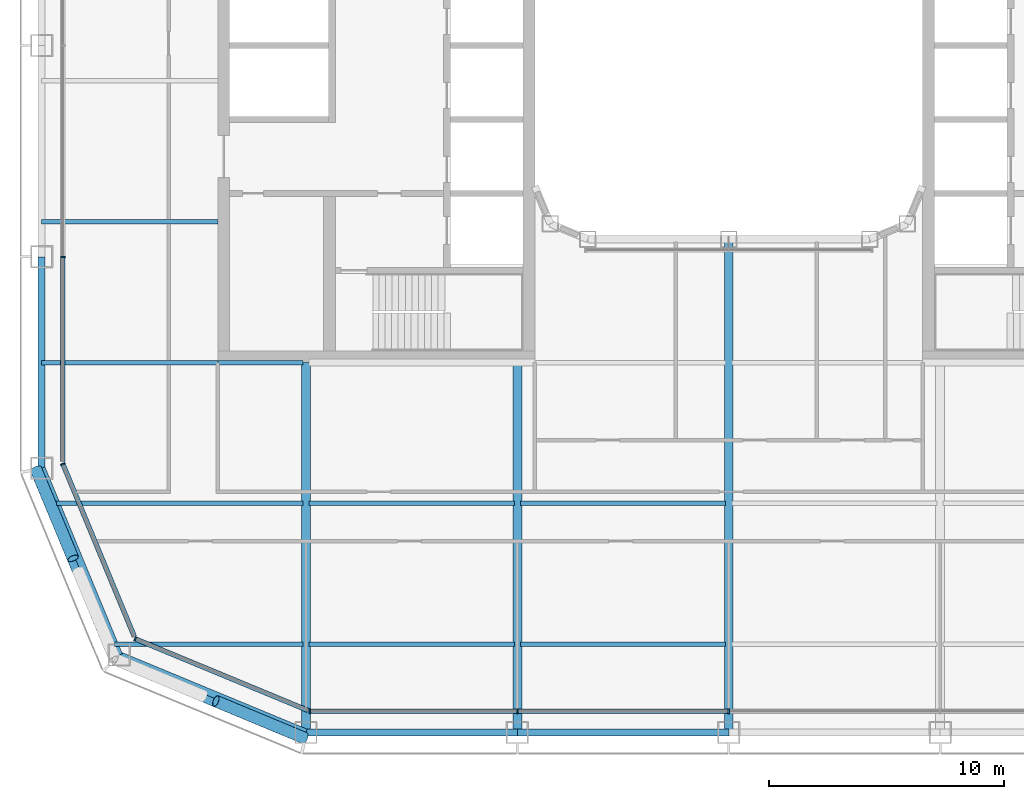
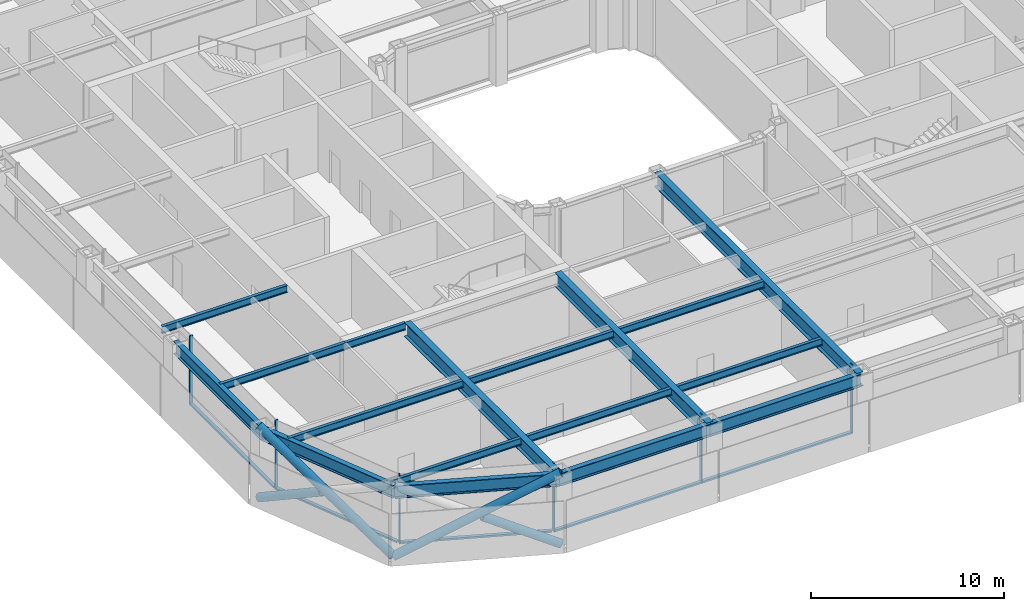
# One storey, part 2 of 23: 17 beams, 15 members, 4 elements without a shape of their own.
"""IFC4 building model written with IfcOpenShell, lengths in metres."""

from ifc_helpers import new_model, si_unit, direction, frame, origin, origin_2d, place, context, subcontext, project, spatial, rectangle, hollow_circle, i_section, extrude, material, layer, layer_set, material_profile, profile_set, type_object, element, aggregate, save


model = new_model("IFC4")

# Units and contexts
model_context = context("Model", 3, precision=1e-05, world=origin(), true_north=direction((0.0, 1.0)))
body_context = subcontext(model_context, "Body", "Model", "MODEL_VIEW")
ifc_project = project(units=[si_unit("LENGTHUNIT", "METRE"), si_unit("AREAUNIT", "SQUARE_METRE"), si_unit("VOLUMEUNIT", "CUBIC_METRE"), si_unit("PLANEANGLEUNIT", "RADIAN"), si_unit("MASSUNIT", "GRAM", prefix="KILO")], contexts=[model_context])

# Site, building, storey
site_placement = place(None, origin())
site = spatial("IfcSite", under=ifc_project, at=site_placement, CompositionType="ELEMENT")
building_placement = place(site_placement, origin())
building = spatial("IfcBuilding", under=site, at=building_placement, Name="Siwar Civic Tower", CompositionType="ELEMENT")
storey_placement = place(building_placement, frame((0.0, 0.0, 131.699951171875)))
storey = spatial("IfcBuildingStorey", under=building, at=storey_placement, Name="L28", CompositionType="ELEMENT", Elevation=131.699951171875)

# Curtain wall, members
ifc_material_1 = material(Name="Aluminium and glass", Category="aluminium")
ifc_layer_1 = layer(ifc_material_1, 0.199951171875)
ifc_layer_set_1 = layer_set([ifc_layer_1], Name="Aluminium and glass")
curtain_wall_type_1 = type_object("IfcCurtainWallType", Name="ENV-CW-B", PredefinedType="NOTDEFINED", material=ifc_layer_set_1)
curtain_wall_1_placement = place(storey_placement, origin())
curtain_wall_1 = element("IfcCurtainWall", 1, at=curtain_wall_1_placement, inside=storey, type_object=curtain_wall_type_1, Name="Curtain wall B S", PredefinedType="NOTDEFINED")
ifc_material_2 = material(Name="Aluminium 6063-T6", Category="aluminium")
ifc_material_profile_1 = material_profile(ifc_material_2, rectangle(XDim=0.199951171875, YDim=0.06494140625, at=origin_2d()), Name="AL 200x65")
ifc_profile_set_1 = profile_set([ifc_material_profile_1], Name="Aluminium 6063-T6")
member_type_1 = type_object("IfcMemberType", Name="ENV-MULLION-B", PredefinedType="MULLION", material=ifc_profile_set_1)
member_1_placement = place(storey_placement, frame((-17.821044921875, -28.35009765625, 0.0), z_axis=(0.0, 0.0, 1.0), x_axis=(0.0, 1.0, 0.0)))
member_1 = element("IfcMember", 2, at=member_1_placement, type_object=member_type_1, Name="Mullion B S 1", PredefinedType="MULLION", context=body_context, shape_type="SweptSolid", body=[
    extrude(rectangle(XDim=0.199951171875, YDim=0.06494140625, at=origin_2d()), origin(), (0.0, 0.0, 1.0), 4.35009765625),
])
member_2_placement = place(storey_placement, frame((-9.0, -28.35009765625, 0.0), z_axis=(0.0, 0.0, 1.0), x_axis=(0.0, 1.0, 0.0)))
member_2 = element("IfcMember", 3, at=member_2_placement, type_object=member_type_1, Name="Mullion B S 2", PredefinedType="MULLION", context=body_context, shape_type="SweptSolid", body=[
    extrude(rectangle(XDim=0.199951171875, YDim=0.06494140625, at=origin_2d()), origin(), (0.0, 0.0, 1.0), 4.35009765625),
])
member_3_placement = place(storey_placement, frame((0.0, -28.35009765625, 0.0), z_axis=(0.0, 0.0, 1.0), x_axis=(0.0, 1.0, 0.0)))
member_3 = element("IfcMember", 4, at=member_3_placement, type_object=member_type_1, Name="Mullion B S 3", PredefinedType="MULLION", context=body_context, shape_type="SweptSolid", body=[
    extrude(rectangle(XDim=0.199951171875, YDim=0.06494140625, at=origin_2d()), origin(), (0.0, 0.0, 1.0), 4.35009765625),
])

# Curtain wall, member
curtain_wall_2_placement = place(storey_placement, origin())
curtain_wall_2 = element("IfcCurtainWall", 5, at=curtain_wall_2_placement, inside=storey, type_object=curtain_wall_type_1, Name="Curtain wall B W", PredefinedType="NOTDEFINED")
member_4_placement = place(storey_placement, frame((-28.35009765625, -9.0, 0.0), z_axis=(0.0, 0.0, 1.0), x_axis=(1.0, 0.0, 0.0)))
member_4 = element("IfcMember", 6, at=member_4_placement, type_object=member_type_1, Name="Mullion B W 4", PredefinedType="MULLION", context=body_context, shape_type="SweptSolid", body=[
    extrude(rectangle(XDim=0.199951171875, YDim=0.06494140625, at=origin_2d()), origin(), (0.0, 0.0, 1.0), 4.35009765625),
])

ifc_material_3 = material(Name="Aluminium clad insulated panel", Category="aluminium")
ifc_layer_2 = layer(ifc_material_3, 0.199951171875)
ifc_layer_set_2 = layer_set([ifc_layer_2], Name="Aluminium clad insulated panel")
curtain_wall_type_2 = type_object("IfcCurtainWallType", Name="ENV-CW-BX", PredefinedType="NOTDEFINED", material=ifc_layer_set_2)
curtain_wall_3_placement = place(storey_placement, origin())
curtain_wall_3 = element("IfcCurtainWall", 7, at=curtain_wall_3_placement, inside=storey, type_object=curtain_wall_type_2, Name="Curtain wall B SW1", PredefinedType="NOTDEFINED")
member_5_placement = place(storey_placement, frame((-28.35009765625, -17.821044921875, 0.0), z_axis=(0.0, 0.0, 1.0), x_axis=(0.923879532511, 0.382683432365, 0.0)))
member_5 = element("IfcMember", 8, at=member_5_placement, type_object=member_type_1, Name="Mullion B SW1 1", PredefinedType="MULLION", context=body_context, shape_type="SweptSolid", body=[
    extrude(rectangle(XDim=0.199951171875, YDim=0.06494140625, at=origin_2d()), origin(), (0.0, 0.0, 1.0), 4.35009765625),
])

curtain_wall_4_placement = place(storey_placement, origin())
curtain_wall_4 = element("IfcCurtainWall", 9, at=curtain_wall_4_placement, inside=storey, type_object=curtain_wall_type_2, Name="Curtain wall B SW2", PredefinedType="NOTDEFINED")
member_6_placement = place(storey_placement, frame((-25.26611328125, -25.26611328125, 0.0), z_axis=(0.0, 0.0, 1.0), x_axis=(0.382683432365, 0.923879532511, 0.0)))
member_6 = element("IfcMember", 10, at=member_6_placement, type_object=member_type_1, Name="Mullion B SW2 1", PredefinedType="MULLION", context=body_context, shape_type="SweptSolid", body=[
    extrude(rectangle(XDim=0.199951171875, YDim=0.06494140625, at=origin_2d()), origin(), (0.0, 0.0, 1.0), 4.35009765625),
])

# Member
ifc_material_4 = material(Name="Aluminium 6063-T6", Category="aluminium")
ifc_material_profile_2 = material_profile(ifc_material_4, rectangle(XDim=0.199951171875, YDim=0.110107421875, at=origin_2d()), Name="AL 200x110")
ifc_profile_set_2 = profile_set([ifc_material_profile_2], Name="Aluminium 6063-T6")
member_type_2 = type_object("IfcMemberType", Name="ENV-TRANSOM-B", PredefinedType="USERDEFINED", material=ifc_profile_set_2)
member_7_placement = place(storey_placement, frame((-17.78857421875, -28.35009765625, 0.054931640625), z_axis=(1.0, 0.0, 0.0), x_axis=(0.0, 1.0, 0.0)))
member_7 = element("IfcMember", 11, at=member_7_placement, type_object=member_type_2, Name="Transom B S 1", ObjectType="TRANSOM", PredefinedType="USERDEFINED", context=body_context, shape_type="SweptSolid", body=[
    extrude(rectangle(XDim=0.199951171875, YDim=0.110107421875, at=origin_2d()), origin(), (0.0, 0.0, 1.0), 8.756103515625),
])

member_8_placement = place(storey_placement, frame((-8.967529296875, -28.35009765625, 0.054931640625), z_axis=(1.0, 0.0, 0.0), x_axis=(0.0, 1.0, 0.0)))
member_8 = element("IfcMember", 12, at=member_8_placement, type_object=member_type_2, Name="Transom B S 2", ObjectType="TRANSOM", PredefinedType="USERDEFINED", context=body_context, shape_type="SweptSolid", body=[
    extrude(rectangle(XDim=0.199951171875, YDim=0.110107421875, at=origin_2d()), origin(), (0.0, 0.0, 1.0), 8.93505859375),
])

aggregate(curtain_wall_1, [member_1, member_2, member_3, member_7, member_8])

member_9_placement = place(storey_placement, frame((-28.35009765625, -9.032470703125, 0.054931640625), z_axis=(0.0, -1.0, 0.0), x_axis=(1.0, 0.0, 0.0)))
member_9 = element("IfcMember", 13, at=member_9_placement, type_object=member_type_2, Name="Transom B W 4", ObjectType="TRANSOM", PredefinedType="USERDEFINED", context=body_context, shape_type="SweptSolid", body=[
    extrude(rectangle(XDim=0.199951171875, YDim=0.110107421875, at=origin_2d()), origin(), (0.0, 0.0, 1.0), 8.6748046875),
])

aggregate(curtain_wall_2, [member_4, member_9])

member_10_placement = place(storey_placement, frame((-28.337646484375, -17.85107421875, 0.054931640625), z_axis=(0.382699695651, -0.92387279587, 0.0), x_axis=(0.92387279587, 0.382699695651, 0.0)))
member_10 = element("IfcMember", 14, at=member_10_placement, type_object=member_type_2, Name="Transom B SW1 1", ObjectType="TRANSOM", PredefinedType="USERDEFINED", context=body_context, shape_type="SweptSolid", body=[
    extrude(rectangle(XDim=0.199951171875, YDim=0.110107421875, at=origin_2d()), origin(), (0.0, 0.0, 1.0), 7.912353515625),
])

aggregate(curtain_wall_3, [member_5, member_10])

member_11_placement = place(storey_placement, frame((-25.236083984375, -25.278564453125, 0.054931640625), z_axis=(0.923883705044, -0.382673358825, 0.0), x_axis=(0.382673358825, 0.923883705044, 0.0)))
member_11 = element("IfcMember", 15, at=member_11_placement, type_object=member_type_2, Name="Transom B SW2 1", ObjectType="TRANSOM", PredefinedType="USERDEFINED", context=body_context, shape_type="SweptSolid", body=[
    extrude(rectangle(XDim=0.199951171875, YDim=0.110107421875, at=origin_2d()), origin(), (0.0, 0.0, 1.0), 7.912353515625),
])

aggregate(curtain_wall_4, [member_6, member_11])

# Members
ifc_material_5 = material(Name="Steel S355", Category="steel")
ifc_material_profile_3 = material_profile(ifc_material_5, hollow_circle(Radius=0.25390625, WallThickness=0.02490234375, at=origin_2d()), Name="CHS508x25")
ifc_profile_set_3 = profile_set([ifc_material_profile_3], Name="Steel S355")
member_type_3 = type_object("IfcMemberType", Name="STR-BR-CHS508x25", PredefinedType="BRACE", material=ifc_profile_set_3)
member_12_placement = place(storey_placement, frame((-26.1318359375, -26.1318359375, 0.0), z_axis=(0.821142553604, -0.341671493852, 0.457149315816), x_axis=(0.384163874976, 0.923264922524, 0.0)))
element("IfcMember", 16, at=member_12_placement, inside=storey, type_object=member_type_3, Name="L28/brc/BSW1-7-0-1", PredefinedType="BRACE", context=body_context, shape_type="SweptSolid", body=[
    extrude(hollow_circle(Radius=0.25390625, WallThickness=0.02490234375, at=origin_2d()), origin(), (0.0, 0.0, 1.0), 9.843505859375),
])
member_13_placement = place(storey_placement, frame((-18.048828125, -29.4951171875, 0.0), z_axis=(-0.821126041429, 0.341677318012, 0.457174621391), x_axis=(-0.384176042158, -0.923259859753, 0.0)))
element("IfcMember", 17, at=member_13_placement, inside=storey, type_object=member_type_3, Name="L28/brc/BSW1-7-0-2", PredefinedType="BRACE", context=body_context, shape_type="SweptSolid", body=[
    extrude(hollow_circle(Radius=0.25390625, WallThickness=0.02490234375, at=origin_2d()), origin(), (0.0, 0.0, 1.0), 4.614501953125),
])
member_14_placement = place(storey_placement, frame((-26.1318359375, -26.1318359375, 0.0), z_axis=(-0.341671493852, 0.821142553604, 0.457149315816), x_axis=(-0.923264922524, -0.384163874976, 0.0)))
element("IfcMember", 18, at=member_14_placement, inside=storey, type_object=member_type_3, Name="L28/brc/BSW1-7-0-0", PredefinedType="BRACE", context=body_context, shape_type="SweptSolid", body=[
    extrude(hollow_circle(Radius=0.25390625, WallThickness=0.02490234375, at=origin_2d()), origin(), (0.0, 0.0, 1.0), 9.843505859375),
])
member_15_placement = place(storey_placement, frame((-29.4951171875, -18.048828125, 0.0), z_axis=(0.341677318012, -0.821126041429, 0.457174621391), x_axis=(0.923259859753, 0.384176042158, 0.0)))
element("IfcMember", 19, at=member_15_placement, inside=storey, type_object=member_type_3, Name="L28/brc/BSW1-7-0-4", PredefinedType="BRACE", context=body_context, shape_type="SweptSolid", body=[
    extrude(hollow_circle(Radius=0.25390625, WallThickness=0.02490234375, at=origin_2d()), origin(), (0.0, 0.0, 1.0), 4.614501953125),
])

# Beams
ifc_material_6 = material(Name="Steel S355", Category="steel")
ifc_material_profile_4 = material_profile(ifc_material_6, i_section(OverallWidth=0.18994140625, OverallDepth=0.449951171875, WebThickness=0.009521484375, FlangeThickness=0.0146484375, FilletRadius=0.02099609375, at=origin_2d()), Name="IPE450")
ifc_profile_set_4 = profile_set([ifc_material_profile_4], Name="Steel S355")
beam_type_1 = type_object("IfcBeamType", Name="STR-FB-IPE450", PredefinedType="JOIST", material=ifc_profile_set_4)
beam_1_placement = place(storey_placement, frame((-26.143310546875, -25.5, 4.125), z_axis=(1.0, 0.0, 0.0), x_axis=(0.0, 1.0, 0.0)))
element("IfcBeam", 20, at=beam_1_placement, inside=storey, type_object=beam_type_1, Name="L28/bm/F001", PredefinedType="JOIST", context=body_context, shape_type="SweptSolid", body=[
    extrude(i_section(OverallWidth=0.18994140625, OverallDepth=0.449951171875, WebThickness=0.009521484375, FlangeThickness=0.0146484375, FilletRadius=0.02099609375, at=origin_2d()), origin(), (0.0, 0.0, 1.0), 8.013427734375),
])
for number, where, z_axis, x_axis, name in (
    (21, (-17.8701171875, -25.5, 4.125), (1.0, 0.0, 0.0), (0.0, 1.0, 0.0), "L28/bm/F002"),
    (22, (-8.8701171875, -25.5, 4.125), (1.0, 0.0, 0.0), (0.0, 1.0, 0.0), "L28/bm/F003"),
):
    element("IfcBeam", number, at=place(storey_placement, frame(where, z_axis=z_axis, x_axis=x_axis)), inside=storey, type_object=beam_type_1, Name=name, PredefinedType="JOIST", context=body_context, shape_type="SweptSolid", body=[
        extrude(i_section(OverallWidth=0.18994140625, OverallDepth=0.449951171875, WebThickness=0.009521484375, FlangeThickness=0.0146484375, FilletRadius=0.02099609375, at=origin_2d()), origin(), (0.0, 0.0, 1.0), 8.740234375),
    ])
beam_2_placement = place(storey_placement, frame((-28.628662109375, -19.5, 4.125), z_axis=(1.0, 0.0, 0.0), x_axis=(0.0, 1.0, 0.0)))
element("IfcBeam", 23, at=beam_2_placement, inside=storey, type_object=beam_type_1, Name="L28/bm/F007", PredefinedType="JOIST", context=body_context, shape_type="SweptSolid", body=[
    extrude(i_section(OverallWidth=0.18994140625, OverallDepth=0.449951171875, WebThickness=0.009521484375, FlangeThickness=0.0146484375, FilletRadius=0.02099609375, at=origin_2d()), origin(), (0.0, 0.0, 1.0), 10.498779296875),
])
for number, where, z_axis, x_axis, name in (
    (24, (-17.8701171875, -19.5, 4.125), (1.0, 0.0, 0.0), (0.0, 1.0, 0.0), "L28/bm/F008"),
    (25, (-8.8701171875, -19.5, 4.125), (1.0, 0.0, 0.0), (0.0, 1.0, 0.0), "L28/bm/F009"),
):
    element("IfcBeam", number, at=place(storey_placement, frame(where, z_axis=z_axis, x_axis=x_axis)), inside=storey, type_object=beam_type_1, Name=name, PredefinedType="JOIST", context=body_context, shape_type="SweptSolid", body=[
        extrude(i_section(OverallWidth=0.18994140625, OverallDepth=0.449951171875, WebThickness=0.009521484375, FlangeThickness=0.0146484375, FilletRadius=0.02099609375, at=origin_2d()), origin(), (0.0, 0.0, 1.0), 8.740234375),
    ])
beam_3_placement = place(storey_placement, frame((-29.25, -13.5, 4.125), z_axis=(1.0, 0.0, 0.0), x_axis=(0.0, 1.0, 0.0)))
element("IfcBeam", 26, at=beam_3_placement, inside=storey, type_object=beam_type_1, Name="L28/bm/F013", PredefinedType="JOIST", context=body_context, shape_type="SweptSolid", body=[
    extrude(i_section(OverallWidth=0.18994140625, OverallDepth=0.449951171875, WebThickness=0.009521484375, FlangeThickness=0.0146484375, FilletRadius=0.02099609375, at=origin_2d()), origin(), (0.0, 0.0, 1.0), 7.5),
])
beam_4_placement = place(storey_placement, frame((-21.75, -13.5, 4.125), z_axis=(1.0, 0.0, 0.0), x_axis=(0.0, 1.0, 0.0)))
element("IfcBeam", 27, at=beam_4_placement, inside=storey, type_object=beam_type_1, Name="L28/bm/F014", PredefinedType="JOIST", context=body_context, shape_type="SweptSolid", body=[
    extrude(i_section(OverallWidth=0.18994140625, OverallDepth=0.449951171875, WebThickness=0.009521484375, FlangeThickness=0.0146484375, FilletRadius=0.02099609375, at=origin_2d()), origin(), (0.0, 0.0, 1.0), 3.6201171875),
])
beam_5_placement = place(storey_placement, frame((-29.25, -7.5, 4.125), z_axis=(1.0, 0.0, 0.0), x_axis=(0.0, 1.0, 0.0)))
element("IfcBeam", 28, at=beam_5_placement, inside=storey, type_object=beam_type_1, Name="L28/bm/F021", PredefinedType="JOIST", context=body_context, shape_type="SweptSolid", body=[
    extrude(i_section(OverallWidth=0.18994140625, OverallDepth=0.449951171875, WebThickness=0.009521484375, FlangeThickness=0.0146484375, FilletRadius=0.02099609375, at=origin_2d()), origin(), (0.0, 0.0, 1.0), 7.5),
])
ifc_material_7 = material(Name="Steel S355", Category="steel")
ifc_material_profile_5 = material_profile(ifc_material_7, i_section(OverallWidth=0.3798828125, OverallDepth=0.89990234375, WebThickness=0.01611328125, FlangeThickness=0.035888671875, at=origin_2d()), Name="PG900x380x16x36")
ifc_profile_set_5 = profile_set([ifc_material_profile_5], Name="Steel S355")
beam_type_2 = type_object("IfcBeamType", Name="STR-PG-PG900x380x16x36", PredefinedType="BEAM", material=ifc_profile_set_5)
for number, where, z_axis, x_axis, name in (
    (29, (-18.0, -29.25, 3.900146484375), (0.0, 1.0, 0.0), (-1.0, 0.0, 0.0), "L28/bm/G01"),
    (30, (-9.0, -29.25, 3.900146484375), (0.0, 1.0, 0.0), (-1.0, 0.0, 0.0), "L28/bm/G03"),
):
    element("IfcBeam", number, at=place(storey_placement, frame(where, z_axis=z_axis, x_axis=x_axis)), inside=storey, type_object=beam_type_2, Name=name, PredefinedType="BEAM", context=body_context, shape_type="SweptSolid", body=[
        extrude(i_section(OverallWidth=0.3798828125, OverallDepth=0.89990234375, WebThickness=0.01611328125, FlangeThickness=0.035888671875, at=origin_2d()), origin(), (0.0, 0.0, 1.0), 15.75),
    ])
beam_6_placement = place(storey_placement, frame((0.0, -29.25, 3.900146484375), z_axis=(0.0, 1.0, 0.0), x_axis=(-1.0, 0.0, 0.0)))
element("IfcBeam", 31, at=beam_6_placement, inside=storey, type_object=beam_type_2, Name="L28/bm/G05", PredefinedType="BEAM", context=body_context, shape_type="SweptSolid", body=[
    extrude(i_section(OverallWidth=0.3798828125, OverallDepth=0.89990234375, WebThickness=0.01611328125, FlangeThickness=0.035888671875, at=origin_2d()), origin(), (0.0, 0.0, 1.0), 21.0),
])
ifc_material_8 = material(Name="Steel S355", Category="steel")
ifc_material_profile_6 = material_profile(ifc_material_8, i_section(OverallWidth=0.300048828125, OverallDepth=0.800048828125, WebThickness=0.017578125, FlangeThickness=0.032958984375, FilletRadius=0.030029296875, at=origin_2d()), Name="HEB800")
ifc_profile_set_6 = profile_set([ifc_material_profile_6], Name="Steel S355")
beam_type_3 = type_object("IfcBeamType", Name="STR-SB-HEB800", PredefinedType="BEAM", material=ifc_profile_set_6)
for number, where, z_axis, x_axis, name in (
    (32, (-18.0, -29.25, 3.949951171875), (1.0, 0.0, 0.0), (0.0, 1.0, 0.0), "L28/bm/SS-0"),
    (33, (-9.0, -29.25, 3.949951171875), (1.0, 0.0, 0.0), (0.0, 1.0, 0.0), "L28/bm/SS-1"),
    (34, (-29.25, -9.0, 3.949951171875), (0.0, -1.0, 0.0), (1.0, 0.0, 0.0), "L28/bm/SW-3"),
):
    element("IfcBeam", number, at=place(storey_placement, frame(where, z_axis=z_axis, x_axis=x_axis)), inside=storey, type_object=beam_type_3, Name=name, PredefinedType="BEAM", context=body_context, shape_type="SweptSolid", body=[
        extrude(i_section(OverallWidth=0.300048828125, OverallDepth=0.800048828125, WebThickness=0.017578125, FlangeThickness=0.032958984375, FilletRadius=0.030029296875, at=origin_2d()), origin(), (0.0, 0.0, 1.0), 9.0),
    ])
for number, where, z_axis, x_axis, name in (
    (35, (-29.25, -18.0, 3.949951171875), (0.382699877515, -0.923872720536, 0.0), (0.923872720536, 0.382699877515, 0.0), "L28/bm/SSW1-0"),
    (36, (-25.954833984375, -25.954833984375, 3.949951171875), (0.923872720536, -0.382699877515, 0.0), (0.382699877515, 0.923872720536, 0.0), "L28/bm/SSW2-0"),
):
    element("IfcBeam", number, at=place(storey_placement, frame(where, z_axis=z_axis, x_axis=x_axis)), inside=storey, type_object=beam_type_3, Name=name, PredefinedType="BEAM", context=body_context, shape_type="SweptSolid", body=[
        extrude(i_section(OverallWidth=0.300048828125, OverallDepth=0.800048828125, WebThickness=0.017578125, FlangeThickness=0.032958984375, FilletRadius=0.030029296875, at=origin_2d()), origin(), (0.0, 0.0, 1.0), 8.6103515625),
    ])

save(model, "model.ifc")
